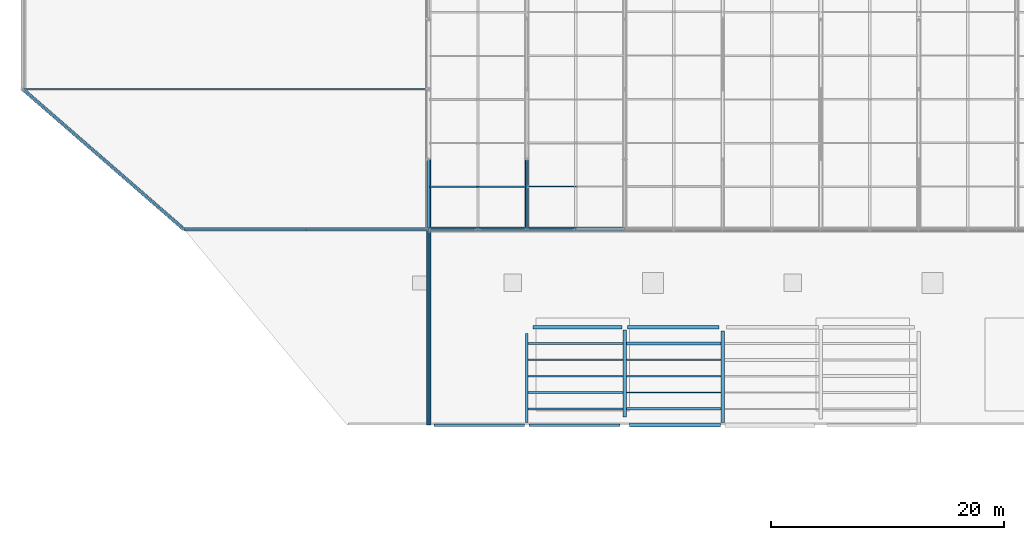
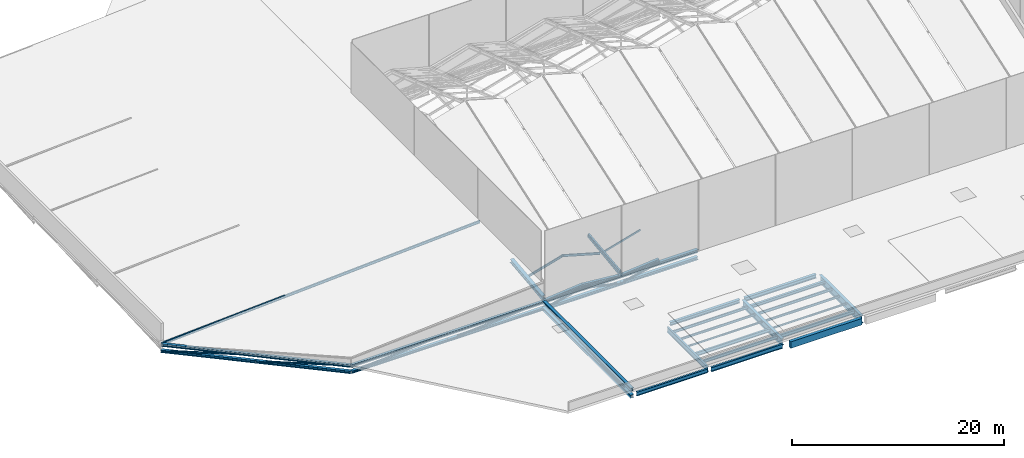
# One storey, part 5 of 77: 33 members, 18 beams.
"""IFC4 building model written with IfcOpenShell, lengths in metres."""

import ifcopenshell
import ifcopenshell.guid

model = None  # the IFC model being written
_history = None  # IfcOwnerHistory: only IFC2X3 demands one
_inside = {}  # id of a spatial element -> (the spatial element, [elements in it])
_under = {}  # id of a project, library or spatial element -> (it, [spatial elements below it])
_declared = {}  # id of a project -> (the project, [libraries it declares])
_typed = {}  # id of a type object -> (the type object, [elements of that type])
_made_of = {}  # id of a material, layer set ... -> (it, [elements and type objects made of it])


def new_model(schema):
    """Start an empty IFC model of exactly this schema.

    Asked for "IFC4X3", IfcOpenShell would pick the latest addendum, in which some entities
    have other attributes; the version numbers below select the first issue.
    IFC2X3 requires an IfcOwnerHistory on every rooted entity: one is made here for all.
    """
    global model, _history
    if schema == "IFC4X3":
        model = ifcopenshell.file(schema_version=(4, 3, 0, 0))
    else:
        model = ifcopenshell.file(schema=schema)
    _inside.clear()
    _under.clear()
    _declared.clear()
    _typed.clear()
    _made_of.clear()
    _history = None
    if model.schema == "IFC2X3":
        org = make("IfcOrganization", Name="unknown")
        user = make(
            "IfcPersonAndOrganization",
            ThePerson=make("IfcPerson", FamilyName="unknown"),
            TheOrganization=org,
        )
        app = make(
            "IfcApplication",
            ApplicationDeveloper=org,
            Version="unknown",
            ApplicationFullName="unknown",
            ApplicationIdentifier="unknown",
        )
        _history = make(
            "IfcOwnerHistory",
            OwningUser=user,
            OwningApplication=app,
            ChangeAction="ADDED",
            CreationDate=0,
        )
    return model


def make(cls, **values):
    """One entity of the class cls with the attributes given. An attribute that is None is left unset."""
    return model.create_entity(
        cls, **{name: value for name, value in values.items() if value is not None}
    )


def rooted(cls, **values):
    """An entity with a GlobalId (a new one), such as an element, a storey or a relation."""
    return make(cls, GlobalId=ifcopenshell.guid.new(), OwnerHistory=_history, **values)


def si_unit(unit_type, name, prefix=None):
    """IfcSIUnit, for example si_unit("LENGTHUNIT", "METRE", prefix="MILLI")."""
    return make("IfcSIUnit", UnitType=unit_type, Prefix=prefix, Name=name)


def assignment(units):
    """IfcUnitAssignment: the units of a project."""
    return None if units is None else make("IfcUnitAssignment", Units=units)


def point(xyz):
    """IfcCartesianPoint."""
    return None if xyz is None else make("IfcCartesianPoint", Coordinates=xyz)


def direction(xyz):
    """IfcDirection."""
    return None if xyz is None else make("IfcDirection", DirectionRatios=xyz)


def frame(location, z_axis=None, x_axis=None):
    """IfcAxis2Placement3D, a coordinate frame: its origin and axes. An axis left out is left unset."""
    return make(
        "IfcAxis2Placement3D",
        Location=point(location),
        Axis=direction(z_axis),
        RefDirection=direction(x_axis),
    )


def frame_2d(location, x_axis=None):
    """IfcAxis2Placement2D, a coordinate frame in the plane: its origin and x axis."""
    return make(
        "IfcAxis2Placement2D", Location=point(location), RefDirection=direction(x_axis)
    )


def origin():
    """The frame at (0, 0, 0) with its axes left unset."""
    return frame((0.0, 0.0, 0.0))


def origin_2d():
    """The frame at (0, 0) in the plane with its x axis left unset."""
    return frame_2d((0.0, 0.0))


def place(relative_to, where):
    """IfcLocalPlacement: puts the frame where relative to a parent placement (None: the world)."""
    return make(
        "IfcLocalPlacement", PlacementRelTo=relative_to, RelativePlacement=where
    )


def context(
    kind, dimensions, precision=None, world=None, true_north=None, identifier=None
):
    """IfcGeometricRepresentationContext, for example the 3D "Model" context."""
    return make(
        "IfcGeometricRepresentationContext",
        ContextIdentifier=identifier,
        ContextType=kind,
        CoordinateSpaceDimension=dimensions,
        Precision=precision,
        WorldCoordinateSystem=world,
        TrueNorth=true_north,
    )


def subcontext(parent, identifier, kind, view, scale=None):
    """IfcGeometricRepresentationSubContext, for example "Body" below "Model"."""
    return make(
        "IfcGeometricRepresentationSubContext",
        ContextIdentifier=identifier,
        ContextType=kind,
        ParentContext=parent,
        TargetScale=scale,
        TargetView=view,
    )


def project(units=None, contexts=None):
    """IfcProject with its units and contexts."""
    return rooted(
        "IfcProject",
        Name="project",
        RepresentationContexts=contexts,
        UnitsInContext=assignment(units),
    )


def spatial(cls, under=None, at=None, **own):
    """A site, building, storey or space (cls), placed at a placement, below another one or the project."""
    s = rooted(cls, ObjectPlacement=at, **own)
    if under is not None:
        _under.setdefault(under.id(), (under, []))[1].append(s)
    return s


def profile(cls, at=None, kind="AREA", **sizes):
    """A parametric profile (cls). Its sizes go by their IFC names, for example OverallWidth=200.0."""
    return make(cls, ProfileType=kind, Position=at, **sizes)


def rectangle(**sizes):
    """IfcRectangleProfileDef."""
    return profile("IfcRectangleProfileDef", **sizes)


def hollow_rectangle(**sizes):
    """IfcRectangleHollowProfileDef."""
    return profile("IfcRectangleHollowProfileDef", **sizes)


def hollow_circle(**sizes):
    """IfcCircleHollowProfileDef."""
    return profile("IfcCircleHollowProfileDef", **sizes)


def i_section(**sizes):
    """IfcIShapeProfileDef."""
    return profile("IfcIShapeProfileDef", **sizes)


def extrude(swept, where, along, depth):
    """IfcExtrudedAreaSolid: the profile swept, set in the frame where, extruded along a direction by depth."""
    return make(
        "IfcExtrudedAreaSolid",
        SweptArea=swept,
        Position=where,
        ExtrudedDirection=direction(along),
        Depth=depth,
    )


def shape(context_of_items, identifier, shape_type, items):
    """IfcShapeRepresentation: the items that make up one representation, for example the "Body"."""
    return make(
        "IfcShapeRepresentation",
        ContextOfItems=context_of_items,
        RepresentationIdentifier=identifier,
        RepresentationType=shape_type,
        Items=items,
    )


def material(Name=None, Category=None):
    """IfcMaterial."""
    return make("IfcMaterial", Name=Name, Category=Category)


def material_profile(
    of_material, cross_section, Name=None, Category=None, Priority=None
):
    """IfcMaterialProfile: a cross section and its material."""
    return make(
        "IfcMaterialProfile",
        Name=Name,
        Material=of_material,
        Profile=cross_section,
        Priority=Priority,
        Category=Category,
    )


def profile_set(profiles, Name=None, composite=None):
    """IfcMaterialProfileSet."""
    return make(
        "IfcMaterialProfileSet",
        Name=Name,
        MaterialProfiles=profiles,
        CompositeProfile=composite,
    )


def made_of(thing, what):
    """Note that an element or type object is made of a material, layer set ...; save() writes the relation."""
    if what is not None:
        _made_of.setdefault(what.id(), (what, []))[1].append(thing)
    return thing


def type_object(cls, material=None, **own):
    """A type object (cls), such as IfcWallType, which elements share."""
    return made_of(rooted(cls, **own), material)


def element(
    cls,
    number,
    at=None,
    inside=None,
    cuts=None,
    type_object=None,
    material=None,
    context=None,
    identifier="Body",
    shape_type=None,
    held_by="IfcProductDefinitionShape",
    body=None,
    shapes=None,
    **own,
):
    """One element of the class cls, such as IfcWall. Its Tag is "e" and its number.

    at: its placement. inside: the storey or other place that contains it. cuts: it is an
    opening in that element (IfcRelVoidsElement). A single representation is given by context,
    identifier, shape_type and body (its items); several are given by shapes. held_by: the class
    of the entity that holds the representations. save() writes the other relations.
    """
    e = rooted(cls, Tag="e%d" % number, ObjectPlacement=at, **own)
    if body is not None:
        shapes = [shape(context, identifier, shape_type, body)]
    if shapes is not None:
        e.Representation = make(held_by, Representations=shapes)
    if inside is not None:
        _inside.setdefault(inside.id(), (inside, []))[1].append(e)
    if cuts is not None:
        rooted(
            "IfcRelVoidsElement", RelatingBuildingElement=cuts, RelatedOpeningElement=e
        )
    if type_object is not None:
        _typed.setdefault(type_object.id(), (type_object, []))[1].append(e)
    return made_of(e, material)


def aggregate(whole, parts):
    """IfcRelAggregates: a whole, such as a stair, and the parts it consists of."""
    return rooted("IfcRelAggregates", RelatingObject=whole, RelatedObjects=parts)


def save(model, path):
    """Write the relations noted so far, then the file.

    IfcRelAggregates (storeys below a building ...), IfcRelContainedInSpatialStructure (elements
    in a storey), IfcRelDefinesByType, IfcRelAssociatesMaterial and IfcRelDeclares: one each for
    every whole, place, type object, material and project.
    """
    for whole, parts in _under.values():
        aggregate(whole, parts)
    for where, things in _inside.values():
        rooted(
            "IfcRelContainedInSpatialStructure",
            RelatedElements=things,
            RelatingStructure=where,
        )
    for kind, things in _typed.values():
        rooted("IfcRelDefinesByType", RelatedObjects=things, RelatingType=kind)
    for what, things in _made_of.values():
        rooted("IfcRelAssociatesMaterial", RelatedObjects=things, RelatingMaterial=what)
    for by, libraries in _declared.values():
        rooted("IfcRelDeclares", RelatingContext=by, RelatedDefinitions=libraries)
    model.write(path)


model = new_model("IFC4")

# Units and contexts
model_context = context("Model", 3, precision=1e-05, world=origin(), true_north=direction((0.0, 1.0)))
body_context = subcontext(model_context, "Body", "Model", "MODEL_VIEW")
ifc_project = project(units=[si_unit("LENGTHUNIT", "METRE"), si_unit("AREAUNIT", "SQUARE_METRE"), si_unit("VOLUMEUNIT", "CUBIC_METRE"), si_unit("PLANEANGLEUNIT", "RADIAN"), si_unit("MASSUNIT", "GRAM", prefix="KILO")], contexts=[model_context])

# Site, building, storey
site_placement = place(None, origin())
site = spatial("IfcSite", under=ifc_project, at=site_placement, CompositionType="ELEMENT")
building_placement = place(site_placement, origin())
building = spatial("IfcBuilding", under=site, at=building_placement, Name="Larkvane Passage Sports Hall", CompositionType="ELEMENT")
storey_placement = place(building_placement, frame((0.0, 0.0, 22.199951171875)))
storey = spatial("IfcBuildingStorey", under=building, at=storey_placement, Name="RF", CompositionType="ELEMENT", Elevation=22.199951171875)

# Beams
ifc_material_1 = material(Name="Steel S355JR", Category="steel")
ifc_material_profile_1 = material_profile(ifc_material_1, i_section(OverallWidth=0.300048828125, OverallDepth=0.389892578125, WebThickness=0.010009765625, FlangeThickness=0.01611328125, FilletRadius=0.01806640625, at=origin_2d()), Name="H-390x300x10x16")
ifc_profile_set_1 = profile_set([ifc_material_profile_1], Name="Steel S355JR")
beam_type_1 = type_object("IfcBeamType", Name="BM-STL-H390", PredefinedType="BEAM", material=ifc_profile_set_1)
beam_1_placement = place(storey_placement, frame((43.75, 31.199951171875, -0.574951171875), z_axis=(1.0, 0.0, 0.0), x_axis=(0.0, 1.0, 0.0)))
element("IfcBeam", 1, at=beam_1_placement, inside=storey, type_object=beam_type_1, Name="Girder BM5-X-RF-E-1133", PredefinedType="BEAM", context=body_context, shape_type="SweptSolid", body=[
    extrude(i_section(OverallWidth=0.300048828125, OverallDepth=0.389892578125, WebThickness=0.010009765625, FlangeThickness=0.01611328125, FilletRadius=0.01806640625, at=origin_2d()), origin(), (0.0, 0.0, 1.0), 7.595947265625),
])
ifc_material_profile_2 = material_profile(ifc_material_1, i_section(OverallWidth=0.300048828125, OverallDepth=0.43994140625, WebThickness=0.010986328125, FlangeThickness=0.01806640625, FilletRadius=0.01806640625, at=origin_2d()), Name="H-440x300x11x18")
ifc_profile_set_2 = profile_set([ifc_material_profile_2], Name="Steel S355JR")
beam_type_2 = type_object("IfcBeamType", Name="BM-STL-H440", PredefinedType="BEAM", material=ifc_profile_set_2)
beam_2_placement = place(storey_placement, frame((51.85400390625, 31.199951171875, -0.599853515625), z_axis=(1.0, 0.0, 0.0), x_axis=(0.0, 1.0, 0.0)))
element("IfcBeam", 2, at=beam_2_placement, inside=storey, type_object=beam_type_2, Name="Girder BM5-X-RF-E-1134", PredefinedType="BEAM", context=body_context, shape_type="SweptSolid", body=[
    extrude(i_section(OverallWidth=0.300048828125, OverallDepth=0.43994140625, WebThickness=0.010986328125, FlangeThickness=0.01806640625, FilletRadius=0.01806640625, at=origin_2d()), origin(), (0.0, 0.0, 1.0), 7.821044921875),
])
ifc_material_profile_3 = material_profile(ifc_material_1, i_section(OverallWidth=0.199951171875, OverallDepth=0.60009765625, WebThickness=0.010986328125, FlangeThickness=0.01708984375, FilletRadius=0.01806640625, at=origin_2d()), Name="H-600x200x11x17")
ifc_profile_set_3 = profile_set([ifc_material_profile_3], Name="Steel S355JR")
beam_type_3 = type_object("IfcBeamType", Name="BM-STL-H600", PredefinedType="BEAM", material=ifc_profile_set_3)
beam_3_placement = place(storey_placement, frame((43.199951171875, 23.029052734375, -0.679931640625), z_axis=(0.0, 1.0, 0.0), x_axis=(-1.0, 0.0, 0.0)))
element("IfcBeam", 3, at=beam_3_placement, inside=storey, type_object=beam_type_3, Name="Girder BM5-Y-RF-7-1164", PredefinedType="BEAM", context=body_context, shape_type="SweptSolid", body=[
    extrude(i_section(OverallWidth=0.199951171875, OverallDepth=0.60009765625, WebThickness=0.010986328125, FlangeThickness=0.01708984375, FilletRadius=0.01806640625, at=origin_2d()), origin(), (0.0, 0.0, 1.0), 7.620849609375),
])
ifc_material_2 = material(Name="Steel S460N", Category="steel")
ifc_material_profile_4 = material_profile(ifc_material_2, i_section(OverallWidth=0.300048828125, OverallDepth=0.7919921875, WebThickness=0.013916015625, FlangeThickness=0.02197265625, FilletRadius=0.02197265625, at=origin_2d()), Name="H-792x300x14x22")
ifc_profile_set_4 = profile_set([ifc_material_profile_4], Name="Steel S460N")
beam_type_4 = type_object("IfcBeamType", Name="BM-STL-H792", PredefinedType="BEAM", material=ifc_profile_set_4)
beam_4_placement = place(storey_placement, frame((51.60009765625, 23.5, -0.77587890625), z_axis=(0.0, 1.0, 0.0), x_axis=(-1.0, 0.0, 0.0)))
element("IfcBeam", 4, at=beam_4_placement, inside=storey, type_object=beam_type_4, Name="Girder BM5-Y-RF-8-1167", PredefinedType="BEAM", context=body_context, shape_type="SweptSolid", body=[
    extrude(i_section(OverallWidth=0.300048828125, OverallDepth=0.7919921875, WebThickness=0.013916015625, FlangeThickness=0.02197265625, FilletRadius=0.02197265625, at=origin_2d()), origin(), (0.0, 0.0, 1.0), 7.446044921875),
])
ifc_material_profile_5 = material_profile(ifc_material_2, i_section(OverallWidth=0.300048828125, OverallDepth=0.89990234375, WebThickness=0.01611328125, FlangeThickness=0.028076171875, FilletRadius=0.02197265625, at=origin_2d()), Name="H-900x300x16x28")
ifc_profile_set_5 = profile_set([ifc_material_profile_5], Name="Steel S460N")
beam_type_5 = type_object("IfcBeamType", Name="BM-STL-H900", PredefinedType="BEAM", material=ifc_profile_set_5)
beam_5_placement = place(storey_placement, frame((60.0, 23.013916015625, -0.829833984375), z_axis=(0.0, 1.0, 0.0), x_axis=(-1.0, 0.0, 0.0)))
element("IfcBeam", 5, at=beam_5_placement, inside=storey, type_object=beam_type_5, Name="Girder BM5-Y-RF-9-1170", PredefinedType="BEAM", context=body_context, shape_type="SweptSolid", body=[
    extrude(i_section(OverallWidth=0.300048828125, OverallDepth=0.89990234375, WebThickness=0.01611328125, FlangeThickness=0.028076171875, FilletRadius=0.02197265625, at=origin_2d()), origin(), (0.0, 0.0, 1.0), 7.861083984375),
])
ifc_material_profile_6 = material_profile(ifc_material_1, i_section(OverallWidth=0.10009765625, OverallDepth=0.199951171875, WebThickness=0.005615234375, FlangeThickness=0.008056640625, FilletRadius=0.008056640625, at=origin_2d()), Name="H-200x100x5.5x8")
ifc_profile_set_6 = profile_set([ifc_material_profile_6], Name="Steel S355JR")
beam_type_6 = type_object("IfcBeamType", Name="JST-STL-H200", PredefinedType="JOIST", material=ifc_profile_set_6)
beam_6_placement = place(storey_placement, frame((43.300048828125, 27.0, -0.47998046875), z_axis=(1.0, 0.0, 0.0), x_axis=(0.0, 1.0, 0.0)))
element("IfcBeam", 6, at=beam_6_placement, inside=storey, type_object=beam_type_6, Name="Composite joist RF 7/D-3", PredefinedType="JOIST", context=body_context, shape_type="SweptSolid", body=[
    extrude(i_section(OverallWidth=0.10009765625, OverallDepth=0.199951171875, WebThickness=0.005615234375, FlangeThickness=0.008056640625, FilletRadius=0.008056640625, at=origin_2d()), origin(), (0.0, 0.0, 1.0), 8.14990234375),
])
beam_7_placement = place(storey_placement, frame((51.75, 25.60009765625, -0.47998046875), z_axis=(1.0, 0.0, 0.0), x_axis=(0.0, 1.0, 0.0)))
element("IfcBeam", 7, at=beam_7_placement, inside=storey, type_object=beam_type_6, Name="Composite joist RF 8/D-2", PredefinedType="JOIST", context=body_context, shape_type="SweptSolid", body=[
    extrude(i_section(OverallWidth=0.10009765625, OverallDepth=0.199951171875, WebThickness=0.005615234375, FlangeThickness=0.008056640625, FilletRadius=0.008056640625, at=origin_2d()), origin(), (0.0, 0.0, 1.0), 8.10009765625),
])
ifc_material_profile_7 = material_profile(ifc_material_1, i_section(OverallWidth=0.125, OverallDepth=0.25, WebThickness=0.006103515625, FlangeThickness=0.009033203125, FilletRadius=0.008056640625, at=origin_2d()), Name="H-250x125x6x9")
ifc_profile_set_7 = profile_set([ifc_material_profile_7], Name="Steel S355JR")
beam_type_7 = type_object("IfcBeamType", Name="JST-STL-H250", PredefinedType="JOIST", material=ifc_profile_set_7)
beam_8_placement = place(storey_placement, frame((43.300048828125, 28.39990234375, -0.5048828125), z_axis=(1.0, 0.0, 0.0), x_axis=(0.0, 1.0, 0.0)))
element("IfcBeam", 8, at=beam_8_placement, inside=storey, type_object=beam_type_7, Name="Composite joist RF 7/D-4", PredefinedType="JOIST", context=body_context, shape_type="SweptSolid", body=[
    extrude(i_section(OverallWidth=0.125, OverallDepth=0.25, WebThickness=0.006103515625, FlangeThickness=0.009033203125, FilletRadius=0.008056640625, at=origin_2d()), origin(), (0.0, 0.0, 1.0), 8.14990234375),
])
beam_9_placement = place(storey_placement, frame((51.75, 27.0, -0.5048828125), z_axis=(1.0, 0.0, 0.0), x_axis=(0.0, 1.0, 0.0)))
element("IfcBeam", 9, at=beam_9_placement, inside=storey, type_object=beam_type_7, Name="Composite joist RF 8/D-3", PredefinedType="JOIST", context=body_context, shape_type="SweptSolid", body=[
    extrude(i_section(OverallWidth=0.125, OverallDepth=0.25, WebThickness=0.006103515625, FlangeThickness=0.009033203125, FilletRadius=0.008056640625, at=origin_2d()), origin(), (0.0, 0.0, 1.0), 8.10009765625),
])
ifc_material_profile_8 = material_profile(ifc_material_1, i_section(OverallWidth=0.14990234375, OverallDepth=0.300048828125, WebThickness=0.006591796875, FlangeThickness=0.009033203125, FilletRadius=0.012939453125, at=origin_2d()), Name="H-300x150x6.5x9")
ifc_profile_set_8 = profile_set([ifc_material_profile_8], Name="Steel S355JR")
beam_type_8 = type_object("IfcBeamType", Name="JST-STL-H300", PredefinedType="JOIST", material=ifc_profile_set_8)
beam_10_placement = place(storey_placement, frame((43.300048828125, 29.800048828125, -0.530029296875), z_axis=(1.0, 0.0, 0.0), x_axis=(0.0, 1.0, 0.0)))
element("IfcBeam", 10, at=beam_10_placement, inside=storey, type_object=beam_type_8, Name="Composite joist RF 7/D-5", PredefinedType="JOIST", context=body_context, shape_type="SweptSolid", body=[
    extrude(i_section(OverallWidth=0.14990234375, OverallDepth=0.300048828125, WebThickness=0.006591796875, FlangeThickness=0.009033203125, FilletRadius=0.012939453125, at=origin_2d()), origin(), (0.0, 0.0, 1.0), 8.14990234375),
])
beam_11_placement = place(storey_placement, frame((51.75, 28.39990234375, -0.530029296875), z_axis=(1.0, 0.0, 0.0), x_axis=(0.0, 1.0, 0.0)))
element("IfcBeam", 11, at=beam_11_placement, inside=storey, type_object=beam_type_8, Name="Composite joist RF 8/D-4", PredefinedType="JOIST", context=body_context, shape_type="SweptSolid", body=[
    extrude(i_section(OverallWidth=0.14990234375, OverallDepth=0.300048828125, WebThickness=0.006591796875, FlangeThickness=0.009033203125, FilletRadius=0.012939453125, at=origin_2d()), origin(), (0.0, 0.0, 1.0), 8.10009765625),
])
ifc_material_profile_9 = material_profile(ifc_material_1, i_section(OverallWidth=0.25, OverallDepth=0.340087890625, WebThickness=0.009033203125, FlangeThickness=0.013916015625, FilletRadius=0.012939453125, at=origin_2d()), Name="H-340x250x9x14")
ifc_profile_set_9 = profile_set([ifc_material_profile_9], Name="Steel S355JR")
beam_type_9 = type_object("IfcBeamType", Name="JST-STL-H340", PredefinedType="JOIST", material=ifc_profile_set_9)
beam_12_placement = place(storey_placement, frame((51.75, 29.800048828125, -0.550048828125), z_axis=(1.0, 0.0, 0.0), x_axis=(0.0, 1.0, 0.0)))
element("IfcBeam", 12, at=beam_12_placement, inside=storey, type_object=beam_type_9, Name="Composite joist RF 8/D-5", PredefinedType="JOIST", context=body_context, shape_type="SweptSolid", body=[
    extrude(i_section(OverallWidth=0.25, OverallDepth=0.340087890625, WebThickness=0.009033203125, FlangeThickness=0.013916015625, FilletRadius=0.012939453125, at=origin_2d()), origin(), (0.0, 0.0, 1.0), 8.10009765625),
])
ifc_material_profile_10 = material_profile(ifc_material_1, i_section(OverallWidth=0.175048828125, OverallDepth=0.35009765625, WebThickness=0.007080078125, FlangeThickness=0.010986328125, FilletRadius=0.012939453125, at=origin_2d()), Name="H-350x175x7x11")
ifc_profile_set_10 = profile_set([ifc_material_profile_10], Name="Steel S355JR")
beam_type_10 = type_object("IfcBeamType", Name="JST-STL-H350", PredefinedType="JOIST", material=ifc_profile_set_10)
beam_13_placement = place(storey_placement, frame((43.300048828125, 24.199951171875, -0.554931640625), z_axis=(1.0, 0.0, 0.0), x_axis=(0.0, 1.0, 0.0)))
element("IfcBeam", 13, at=beam_13_placement, inside=storey, type_object=beam_type_10, Name="Composite joist RF 7/D-1", PredefinedType="JOIST", context=body_context, shape_type="SweptSolid", body=[
    extrude(i_section(OverallWidth=0.175048828125, OverallDepth=0.35009765625, WebThickness=0.007080078125, FlangeThickness=0.010986328125, FilletRadius=0.012939453125, at=origin_2d()), origin(), (0.0, 0.0, 1.0), 8.14990234375),
])
ifc_material_profile_11 = material_profile(ifc_material_1, i_section(OverallWidth=0.199951171875, OverallDepth=0.39990234375, WebThickness=0.008056640625, FlangeThickness=0.012939453125, FilletRadius=0.012939453125, at=origin_2d()), Name="H-400x200x8x13")
ifc_profile_set_11 = profile_set([ifc_material_profile_11], Name="Steel S355JR")
beam_type_11 = type_object("IfcBeamType", Name="JST-STL-H400", PredefinedType="JOIST", material=ifc_profile_set_11)
beam_14_placement = place(storey_placement, frame((43.300048828125, 25.60009765625, -0.579833984375), z_axis=(1.0, 0.0, 0.0), x_axis=(0.0, 1.0, 0.0)))
element("IfcBeam", 14, at=beam_14_placement, inside=storey, type_object=beam_type_11, Name="Composite joist RF 7/D-2", PredefinedType="JOIST", context=body_context, shape_type="SweptSolid", body=[
    extrude(i_section(OverallWidth=0.199951171875, OverallDepth=0.39990234375, WebThickness=0.008056640625, FlangeThickness=0.012939453125, FilletRadius=0.012939453125, at=origin_2d()), origin(), (0.0, 0.0, 1.0), 8.14990234375),
])
beam_15_placement = place(storey_placement, frame((51.75, 24.199951171875, -0.579833984375), z_axis=(1.0, 0.0, 0.0), x_axis=(0.0, 1.0, 0.0)))
element("IfcBeam", 15, at=beam_15_placement, inside=storey, type_object=beam_type_11, Name="Composite joist RF 8/D-1", PredefinedType="JOIST", context=body_context, shape_type="SweptSolid", body=[
    extrude(i_section(OverallWidth=0.199951171875, OverallDepth=0.39990234375, WebThickness=0.008056640625, FlangeThickness=0.012939453125, FilletRadius=0.012939453125, at=origin_2d()), origin(), (0.0, 0.0, 1.0), 8.10009765625),
])

# Members
ifc_material_profile_12 = material_profile(ifc_material_1, hollow_circle(Radius=0.108154296875, WallThickness=0.00830078125, at=origin_2d()), Name="CHS-216.3x8.2")
ifc_profile_set_12 = profile_set([ifc_material_profile_12], Name="Steel S355JR")
member_type_1 = type_object("IfcMemberType", Name="MBR-BR-CHS216", PredefinedType="BRACE", material=ifc_profile_set_12)
member_1_placement = place(storey_placement, frame((34.800048828125, 22.800048828125, -0.739990234375), z_axis=(0.0, 0.998896108316, 0.046974086386), x_axis=(-1.0, 0.0, 0.0)))
element("IfcMember", 16, at=member_1_placement, inside=storey, type_object=member_type_1, Name="Arena west eave tie truss web diagonal 1", PredefinedType="BRACE", context=body_context, shape_type="SweptSolid", body=[
    extrude(hollow_circle(Radius=0.108154296875, WallThickness=0.00830078125, at=origin_2d()), origin(), (0.0, 0.0, 1.0), 16.818603515625),
])
for number, where, z_axis, x_axis, name in (
    (17, (34.800048828125, 39.60009765625, -0.780029296875), (0.98102339237, 0.0, 0.193889410804), (0.0, 1.0, 0.0), "Arena south valley eave truss web 1A"),
    (18, (39.0, 39.60009765625, 0.050048828125), (0.98102339237, 0.0, -0.193889410804), (0.0, 1.0, 0.0), "Arena south valley eave truss web 1B"),
    (19, (43.199951171875, 39.60009765625, -0.780029296875), (0.98102339237, 0.0, 0.193889410804), (0.0, 1.0, 0.0), "Arena south valley eave truss web 2A"),
):
    element("IfcMember", number, at=place(storey_placement, frame(where, z_axis=z_axis, x_axis=x_axis)), inside=storey, type_object=member_type_1, Name=name, PredefinedType="BRACE", context=body_context, shape_type="SweptSolid", body=[
        extrude(hollow_circle(Radius=0.108154296875, WallThickness=0.00830078125, at=origin_2d()), origin(), (0.0, 0.0, 1.0), 4.28125),
    ])
ifc_material_profile_13 = material_profile(ifc_material_1, hollow_circle(Radius=0.1337890625, WallThickness=0.00927734375, at=origin_2d()), Name="CHS-267.4x9.3")
ifc_profile_set_13 = profile_set([ifc_material_profile_13], Name="Steel S355JR")
member_type_2 = type_object("IfcMemberType", Name="MBR-BR-CHS267", PredefinedType="BRACE", material=ifc_profile_set_13)
member_2_placement = place(storey_placement, frame((34.800048828125, 39.64990234375, 0.18994140625), z_axis=(0.0, 0.991533014949, 0.129854843063), x_axis=(-1.0, 0.0, 0.0)))
element("IfcMember", 20, at=member_2_placement, inside=storey, type_object=member_type_2, Name="Arena roof truss 1 web brace 1", PredefinedType="BRACE", context=body_context, shape_type="SweptSolid", body=[
    extrude(hollow_circle(Radius=0.1337890625, WallThickness=0.00927734375, at=origin_2d()), origin(), (0.0, 0.0, 1.0), 5.950439453125),
])
ifc_material_profile_14 = material_profile(ifc_material_2, hollow_circle(Radius=0.1591796875, WallThickness=0.01025390625, at=origin_2d()), Name="CHS-318.5x10.3")
ifc_profile_set_14 = profile_set([ifc_material_profile_14], Name="Steel S460N")
member_type_3 = type_object("IfcMemberType", Name="MBR-BR-CHS318", PredefinedType="BRACE", material=ifc_profile_set_14)
member_3_placement = place(storey_placement, frame((43.199951171875, 39.64990234375, 0.215087890625), z_axis=(0.0, 0.990985957758, 0.133965784913), x_axis=(-1.0, 0.0, 0.0)))
element("IfcMember", 21, at=member_3_placement, inside=storey, type_object=member_type_3, Name="Arena roof truss 2 web brace 1", PredefinedType="BRACE", context=body_context, shape_type="SweptSolid", body=[
    extrude(hollow_circle(Radius=0.1591796875, WallThickness=0.01025390625, at=origin_2d()), origin(), (0.0, 0.0, 1.0), 5.953857421875),
])
ifc_material_profile_15 = material_profile(ifc_material_1, hollow_rectangle(XDim=0.14990234375, YDim=0.14990234375, WallThickness=0.008056640625, InnerFilletRadius=0.008056640625, OuterFilletRadius=0.01611328125, at=origin_2d()), Name="SHS-150x150x8")
ifc_profile_set_15 = profile_set([ifc_material_profile_15], Name="Steel S355JR")
member_type_4 = type_object("IfcMemberType", Name="MBR-BR-SHS150", PredefinedType="BRACE", material=ifc_profile_set_15)
member_4_placement = place(storey_placement, frame((0.0, 51.60009765625, -0.739990234375), z_axis=(0.752272553212, -0.65415930464, 0.07849592242), x_axis=(0.656184003214, 0.754600923618, 0.0)))
element("IfcMember", 22, at=member_4_placement, inside=storey, type_object=member_type_4, Name="Northwest roof SW eave truss web 1", PredefinedType="BRACE", context=body_context, shape_type="SweptSolid", body=[
    extrude(hollow_rectangle(XDim=0.14990234375, YDim=0.14990234375, WallThickness=0.008056640625, InnerFilletRadius=0.008056640625, OuterFilletRadius=0.01611328125, at=origin_2d()), origin(), (0.0, 0.0, 1.0), 9.172119140625),
])
member_5_placement = place(storey_placement, frame((6.89990234375, 45.60009765625, -0.739990234375), z_axis=(0.752284107284, -0.654146206015, 0.078494350649), x_axis=(0.65617078259, 0.754612419773, 0.0)))
element("IfcMember", 23, at=member_5_placement, inside=storey, type_object=member_type_4, Name="Northwest roof SW eave truss web 2", PredefinedType="BRACE", context=body_context, shape_type="SweptSolid", body=[
    extrude(hollow_rectangle(XDim=0.14990234375, YDim=0.14990234375, WallThickness=0.008056640625, InnerFilletRadius=0.008056640625, OuterFilletRadius=0.01611328125, at=origin_2d()), origin(), (0.0, 0.0, 1.0), 9.17236328125),
])
for number, where, z_axis, x_axis, name in (
    (24, (13.800048828125, 39.60009765625, -0.739990234375), (0.997657428165, 0.0, 0.068408011432), (0.0, 1.0, 0.0), "Northwest roof SW eave truss web 3"),
    (25, (24.300048828125, 39.60009765625, -0.739990234375), (0.997657428165, 0.0, 0.068408011432), (0.0, 1.0, 0.0), "Northwest roof SW eave truss web 4"),
):
    element("IfcMember", number, at=place(storey_placement, frame(where, z_axis=z_axis, x_axis=x_axis)), inside=storey, type_object=member_type_4, Name=name, PredefinedType="BRACE", context=body_context, shape_type="SweptSolid", body=[
        extrude(hollow_rectangle(XDim=0.14990234375, YDim=0.14990234375, WallThickness=0.008056640625, InnerFilletRadius=0.008056640625, OuterFilletRadius=0.01611328125, at=origin_2d()), origin(), (0.0, 0.0, 1.0), 10.524658203125),
    ])
ifc_material_profile_16 = material_profile(ifc_material_2, i_section(OverallWidth=0.300048828125, OverallDepth=0.300048828125, WebThickness=0.010009765625, FlangeThickness=0.014892578125, FilletRadius=0.012939453125, at=origin_2d()), Name="H-300x300x10x15")
ifc_profile_set_16 = profile_set([ifc_material_profile_16], Name="Steel S460N")
member_type_5 = type_object("IfcMemberType", Name="MBR-CH-H300", PredefinedType="CHORD", material=ifc_profile_set_16)
for number, where, z_axis, x_axis, name in (
    (26, (34.800048828125, 39.60009765625, 0.050048828125), (0.99549755299, 0.0, 0.094787245934), (0.0, 1.0, 0.0), "Arena roof fold tie 1-SEAVE-W"),
    (27, (39.0, 39.60009765625, 0.449951171875), (0.99549755299, 0.0, -0.094787245934), (0.0, 1.0, 0.0), "Arena roof fold tie 1-SEAVE-E"),
    (28, (43.199951171875, 39.60009765625, 0.050048828125), (0.99549755299, 0.0, 0.094787245934), (0.0, 1.0, 0.0), "Arena roof fold tie 2-SEAVE-W"),
):
    element("IfcMember", number, at=place(storey_placement, frame(where, z_axis=z_axis, x_axis=x_axis)), inside=storey, type_object=member_type_5, Name=name, PredefinedType="CHORD", context=body_context, shape_type="SweptSolid", body=[
        extrude(i_section(OverallWidth=0.300048828125, OverallDepth=0.300048828125, WebThickness=0.010009765625, FlangeThickness=0.014892578125, FilletRadius=0.012939453125, at=origin_2d()), origin(), (0.0, 0.0, 1.0), 4.218994140625),
    ])
for number, where, z_axis, x_axis, name in (
    (29, (0.0, 51.60009765625, -0.739990234375), (0.754600923618, -0.656184003214, 0.0), (0.656184003214, 0.754600923618, 0.0), "Northwest roof SW eave truss bottom chord 1"),
    (30, (0.0, 51.60009765625, -0.02001953125), (0.754600923618, -0.656184003214, 0.0), (0.656184003214, 0.754600923618, 0.0), "Northwest roof SW eave truss top chord 1"),
):
    element("IfcMember", number, at=place(storey_placement, frame(where, z_axis=z_axis, x_axis=x_axis)), inside=storey, type_object=member_type_5, Name=name, PredefinedType="CHORD", context=body_context, shape_type="SweptSolid", body=[
        extrude(i_section(OverallWidth=0.300048828125, OverallDepth=0.300048828125, WebThickness=0.010009765625, FlangeThickness=0.014892578125, FilletRadius=0.012939453125, at=origin_2d()), origin(), (0.0, 0.0, 1.0), 9.143798828125),
    ])
for number, where, z_axis, x_axis, name in (
    (31, (6.89990234375, 45.60009765625, -0.739990234375), (0.754612419773, -0.65617078259, 0.0), (0.65617078259, 0.754612419773, 0.0), "Northwest roof SW eave truss bottom chord 2"),
    (32, (6.89990234375, 45.60009765625, -0.02001953125), (0.754612419773, -0.65617078259, 0.0), (0.65617078259, 0.754612419773, 0.0), "Northwest roof SW eave truss top chord 2"),
):
    element("IfcMember", number, at=place(storey_placement, frame(where, z_axis=z_axis, x_axis=x_axis)), inside=storey, type_object=member_type_5, Name=name, PredefinedType="CHORD", context=body_context, shape_type="SweptSolid", body=[
        extrude(i_section(OverallWidth=0.300048828125, OverallDepth=0.300048828125, WebThickness=0.010009765625, FlangeThickness=0.014892578125, FilletRadius=0.012939453125, at=origin_2d()), origin(), (0.0, 0.0, 1.0), 9.14404296875),
    ])
for number, where, z_axis, x_axis, name in (
    (33, (13.800048828125, 39.60009765625, -0.739990234375), (1.0, 0.0, 0.0), (0.0, 1.0, 0.0), "Northwest roof SW eave truss bottom chord 3"),
    (34, (13.800048828125, 39.60009765625, -0.02001953125), (1.0, 0.0, 0.0), (0.0, 1.0, 0.0), "Northwest roof SW eave truss top chord 3"),
    (35, (24.300048828125, 39.60009765625, -0.739990234375), (1.0, 0.0, 0.0), (0.0, 1.0, 0.0), "Northwest roof SW eave truss bottom chord 4"),
    (36, (24.300048828125, 39.60009765625, -0.02001953125), (1.0, 0.0, 0.0), (0.0, 1.0, 0.0), "Northwest roof SW eave truss top chord 4"),
):
    element("IfcMember", number, at=place(storey_placement, frame(where, z_axis=z_axis, x_axis=x_axis)), inside=storey, type_object=member_type_5, Name=name, PredefinedType="CHORD", context=body_context, shape_type="SweptSolid", body=[
        extrude(i_section(OverallWidth=0.300048828125, OverallDepth=0.300048828125, WebThickness=0.010009765625, FlangeThickness=0.014892578125, FilletRadius=0.012939453125, at=origin_2d()), origin(), (0.0, 0.0, 1.0), 10.5),
    ])
ifc_material_profile_17 = material_profile(ifc_material_2, i_section(OverallWidth=0.35009765625, OverallDepth=0.35009765625, WebThickness=0.011962890625, FlangeThickness=0.01904296875, FilletRadius=0.012939453125, at=origin_2d()), Name="H-350x350x12x19")
ifc_profile_set_17 = profile_set([ifc_material_profile_17], Name="Steel S460N")
member_type_6 = type_object("IfcMemberType", Name="MBR-CH-H350", PredefinedType="CHORD", material=ifc_profile_set_17)
for number, where, z_axis, x_axis, name in (
    (37, (34.800048828125, 22.800048828125, -0.739990234375), (0.0, 1.0, 0.0), (-1.0, 0.0, 0.0), "Arena west eave tie truss bottom chord 1"),
    (38, (34.800048828125, 22.800048828125, 0.050048828125), (0.0, 1.0, 0.0), (-1.0, 0.0, 0.0), "Arena west eave tie truss top chord 1"),
):
    element("IfcMember", number, at=place(storey_placement, frame(where, z_axis=z_axis, x_axis=x_axis)), inside=storey, type_object=member_type_6, Name=name, PredefinedType="CHORD", context=body_context, shape_type="SweptSolid", body=[
        extrude(i_section(OverallWidth=0.35009765625, OverallDepth=0.35009765625, WebThickness=0.011962890625, FlangeThickness=0.01904296875, FilletRadius=0.012939453125, at=origin_2d()), origin(), (0.0, 0.0, 1.0), 16.800048828125),
    ])
for number, where, z_axis, x_axis, name in (
    (39, (34.800048828125, 39.60009765625, -0.780029296875), (1.0, 0.0, 0.0), (0.0, 1.0, 0.0), "Arena south valley eave truss bottom chord 1"),
    (40, (34.800048828125, 39.60009765625, 0.050048828125), (1.0, 0.0, 0.0), (0.0, 1.0, 0.0), "Arena south valley eave truss top chord 1"),
):
    element("IfcMember", number, at=place(storey_placement, frame(where, z_axis=z_axis, x_axis=x_axis)), inside=storey, type_object=member_type_6, Name=name, PredefinedType="CHORD", context=body_context, shape_type="SweptSolid", body=[
        extrude(i_section(OverallWidth=0.35009765625, OverallDepth=0.35009765625, WebThickness=0.011962890625, FlangeThickness=0.01904296875, FilletRadius=0.012939453125, at=origin_2d()), origin(), (0.0, 0.0, 1.0), 8.39990234375),
    ])
for number, where, z_axis, x_axis, name in (
    (41, (43.199951171875, 39.60009765625, -0.780029296875), (1.0, 0.0, 0.0), (0.0, 1.0, 0.0), "Arena south valley eave truss bottom chord 2"),
    (42, (43.199951171875, 39.60009765625, 0.050048828125), (1.0, 0.0, 0.0), (0.0, 1.0, 0.0), "Arena south valley eave truss top chord 2"),
):
    element("IfcMember", number, at=place(storey_placement, frame(where, z_axis=z_axis, x_axis=x_axis)), inside=storey, type_object=member_type_6, Name=name, PredefinedType="CHORD", context=body_context, shape_type="SweptSolid", body=[
        extrude(i_section(OverallWidth=0.35009765625, OverallDepth=0.35009765625, WebThickness=0.011962890625, FlangeThickness=0.01904296875, FilletRadius=0.012939453125, at=origin_2d()), origin(), (0.0, 0.0, 1.0), 8.400146484375),
    ])
ifc_material_profile_18 = material_profile(ifc_material_2, i_section(OverallWidth=0.39990234375, OverallDepth=0.39990234375, WebThickness=0.012939453125, FlangeThickness=0.02099609375, FilletRadius=0.02197265625, at=origin_2d()), Name="H-400x400x13x21")
ifc_profile_set_18 = profile_set([ifc_material_profile_18], Name="Steel S460N")
member_type_7 = type_object("IfcMemberType", Name="MBR-CH-H400", PredefinedType="CHORD", material=ifc_profile_set_18)
member_6_placement = place(storey_placement, frame((34.800048828125, 39.60009765625, 0.5), z_axis=(0.0, 0.994132743148, 0.108166949674), x_axis=(-1.0, 0.0, 0.0)))
element("IfcMember", 43, at=member_6_placement, inside=storey, type_object=member_type_7, Name="Arena roof truss 1 top chord 1", PredefinedType="CHORD", context=body_context, shape_type="SweptSolid", body=[
    extrude(i_section(OverallWidth=0.39990234375, OverallDepth=0.39990234375, WebThickness=0.012939453125, FlangeThickness=0.02099609375, FilletRadius=0.02197265625, at=origin_2d()), origin(), (0.0, 0.0, 1.0), 6.035400390625),
])
ifc_material_profile_19 = material_profile(ifc_material_2, hollow_rectangle(XDim=0.199951171875, YDim=0.300048828125, WallThickness=0.011962890625, InnerFilletRadius=0.011962890625, OuterFilletRadius=0.02392578125, at=origin_2d()), Name="RHS-300x200x12")
ifc_profile_set_19 = profile_set([ifc_material_profile_19], Name="Steel S460N")
member_type_8 = type_object("IfcMemberType", Name="MBR-CH-RHS300", PredefinedType="CHORD", material=ifc_profile_set_19)
member_7_placement = place(storey_placement, frame((43.199951171875, 39.60009765625, 0.5), z_axis=(0.0, 0.994132743148, 0.108166949674), x_axis=(-1.0, 0.0, 0.0)))
element("IfcMember", 44, at=member_7_placement, inside=storey, type_object=member_type_8, Name="Arena roof truss 2 top chord 1", PredefinedType="CHORD", context=body_context, shape_type="SweptSolid", body=[
    extrude(hollow_rectangle(XDim=0.199951171875, YDim=0.300048828125, WallThickness=0.011962890625, InnerFilletRadius=0.011962890625, OuterFilletRadius=0.02392578125, at=origin_2d()), origin(), (0.0, 0.0, 1.0), 6.035400390625),
])
ifc_material_profile_20 = material_profile(ifc_material_1, i_section(OverallWidth=0.125, OverallDepth=0.25, WebThickness=0.006103515625, FlangeThickness=0.009033203125, FilletRadius=0.008056640625, at=origin_2d()), Name="H-250x125x6x9")
ifc_profile_set_20 = profile_set([ifc_material_profile_20], Name="Steel S355JR")
member_type_9 = type_object("IfcMemberType", Name="MBR-PR-H250", PredefinedType="PURLIN", material=ifc_profile_set_20)
for number, where, z_axis, x_axis, name in (
    (45, (34.901611328125, 43.242919921875, 0.460205078125), (0.96152605678, 0.0, 0.274713745804), (0.0, 1.0, 0.0), "Folded roof purlin FRP-B1-SW-1"),
    (46, (38.8984375, 43.242919921875, 1.66015625), (0.96152605678, 0.0, -0.274713745804), (0.0, 1.0, 0.0), "Folded roof purlin FRP-B1-SE-1"),
):
    element("IfcMember", number, at=place(storey_placement, frame(where, z_axis=z_axis, x_axis=x_axis)), inside=storey, type_object=member_type_9, Name=name, PredefinedType="PURLIN", context=body_context, shape_type="SweptSolid", body=[
        extrude(i_section(OverallWidth=0.125, OverallDepth=0.25, WebThickness=0.006103515625, FlangeThickness=0.009033203125, FilletRadius=0.008056640625, at=origin_2d()), origin(), (0.0, 0.0, 1.0), 4.367919921875),
    ])
ifc_material_profile_21 = material_profile(ifc_material_1, hollow_rectangle(XDim=0.10009765625, YDim=0.199951171875, WallThickness=0.008056640625, InnerFilletRadius=0.008056640625, OuterFilletRadius=0.01611328125, at=origin_2d()), Name="RHS-200x100x8")
ifc_profile_set_21 = profile_set([ifc_material_profile_21], Name="Steel S355JR")
member_type_10 = type_object("IfcMemberType", Name="MBR-PR-RHS200", PredefinedType="PURLIN", material=ifc_profile_set_21)
member_8_placement = place(storey_placement, frame((43.3056640625, 43.24755859375, 0.446533203125), z_axis=(0.96152605678, 0.0, 0.274713745804), x_axis=(0.0, 1.0, 0.0)))
element("IfcMember", 47, at=member_8_placement, inside=storey, type_object=member_type_10, Name="Folded roof purlin FRP-B2-SW-1", PredefinedType="PURLIN", context=body_context, shape_type="SweptSolid", body=[
    extrude(hollow_rectangle(XDim=0.10009765625, YDim=0.199951171875, WallThickness=0.008056640625, InnerFilletRadius=0.008056640625, OuterFilletRadius=0.01611328125, at=origin_2d()), origin(), (0.0, 0.0, 1.0), 4.367919921875),
])
ifc_material_profile_22 = material_profile(ifc_material_1, i_section(OverallWidth=0.14990234375, OverallDepth=0.300048828125, WebThickness=0.006591796875, FlangeThickness=0.009033203125, FilletRadius=0.012939453125, at=origin_2d()), Name="H-300x150x6.5x9")
ifc_profile_set_22 = profile_set([ifc_material_profile_22], Name="Steel S355JR")
member_type_11 = type_object("IfcMemberType", Name="MBR-RF-H300", PredefinedType="RAFTER", material=ifc_profile_set_22)
member_9_placement = place(storey_placement, frame((0.0, 51.60009765625, 0.02001953125), z_axis=(0.998417756074, 0.0, 0.056231524584), x_axis=(0.0, 1.0, 0.0)))
element("IfcMember", 48, at=member_9_placement, inside=storey, type_object=member_type_11, Name="Northwest court sloped roof rafter 1", PredefinedType="RAFTER", context=body_context, shape_type="SweptSolid", body=[
    extrude(i_section(OverallWidth=0.14990234375, OverallDepth=0.300048828125, WebThickness=0.006591796875, FlangeThickness=0.009033203125, FilletRadius=0.012939453125, at=origin_2d()), origin(), (0.0, 0.0, 1.0), 34.855224609375),
])

# Beams
ifc_material_3 = material(Name="Concrete C40/50", Category="concrete")
ifc_material_profile_23 = material_profile(ifc_material_3, rectangle(XDim=0.35009765625, YDim=0.75, at=origin_2d()), Name="RC-SP-350x750")
ifc_profile_set_23 = profile_set([ifc_material_profile_23], Name="Concrete C40/50")
beam_type_12 = type_object("IfcBeamType", Name="SP-RC-350x750", PredefinedType="SPANDREL", material=ifc_profile_set_23)
beam_16_placement = place(storey_placement, frame((52.0, 22.800048828125, -0.7548828125), z_axis=(1.0, 0.0, 0.0), x_axis=(0.0, 1.0, 0.0)))
element("IfcBeam", 49, at=beam_16_placement, inside=storey, type_object=beam_type_12, Name="Girder BM5-X-RF-D-1129", PredefinedType="SPANDREL", context=body_context, shape_type="SweptSolid", body=[
    extrude(rectangle(XDim=0.35009765625, YDim=0.75, at=origin_2d()), origin(), (0.0, 0.0, 1.0), 7.79638671875),
])
ifc_material_profile_24 = material_profile(ifc_material_1, i_section(OverallWidth=0.199951171875, OverallDepth=0.449951171875, WebThickness=0.009033203125, FlangeThickness=0.013916015625, FilletRadius=0.01806640625, at=origin_2d()), Name="H-450x200x9x14")
ifc_profile_set_24 = profile_set([ifc_material_profile_24], Name="Steel S355JR")
beam_type_13 = type_object("IfcBeamType", Name="SP-STL-H450", PredefinedType="SPANDREL", material=ifc_profile_set_24)
beam_17_placement = place(storey_placement, frame((35.25, 22.800048828125, -0.60498046875), z_axis=(1.0, 0.0, 0.0), x_axis=(0.0, 1.0, 0.0)))
element("IfcBeam", 50, at=beam_17_placement, inside=storey, type_object=beam_type_13, Name="Girder BM5-X-RF-D-1127", PredefinedType="SPANDREL", context=body_context, shape_type="SweptSolid", body=[
    extrude(i_section(OverallWidth=0.199951171875, OverallDepth=0.449951171875, WebThickness=0.009033203125, FlangeThickness=0.013916015625, FilletRadius=0.01806640625, at=origin_2d()), origin(), (0.0, 0.0, 1.0), 7.741455078125),
])
ifc_material_profile_25 = material_profile(ifc_material_1, i_section(OverallWidth=0.199951171875, OverallDepth=0.5, WebThickness=0.010009765625, FlangeThickness=0.01611328125, FilletRadius=0.01806640625, at=origin_2d()), Name="H-500x200x10x16")
ifc_profile_set_25 = profile_set([ifc_material_profile_25], Name="Steel S355JR")
beam_type_14 = type_object("IfcBeamType", Name="SP-STL-H500", PredefinedType="SPANDREL", material=ifc_profile_set_25)
beam_18_placement = place(storey_placement, frame((43.408447265625, 22.800048828125, -0.6298828125), z_axis=(1.0, 0.0, 0.0), x_axis=(0.0, 1.0, 0.0)))
element("IfcBeam", 51, at=beam_18_placement, inside=storey, type_object=beam_type_14, Name="Girder BM5-X-RF-D-1128", PredefinedType="SPANDREL", context=body_context, shape_type="SweptSolid", body=[
    extrude(i_section(OverallWidth=0.199951171875, OverallDepth=0.5, WebThickness=0.010009765625, FlangeThickness=0.01611328125, FilletRadius=0.01806640625, at=origin_2d()), origin(), (0.0, 0.0, 1.0), 7.79150390625),
])

save(model, "model.ifc")
